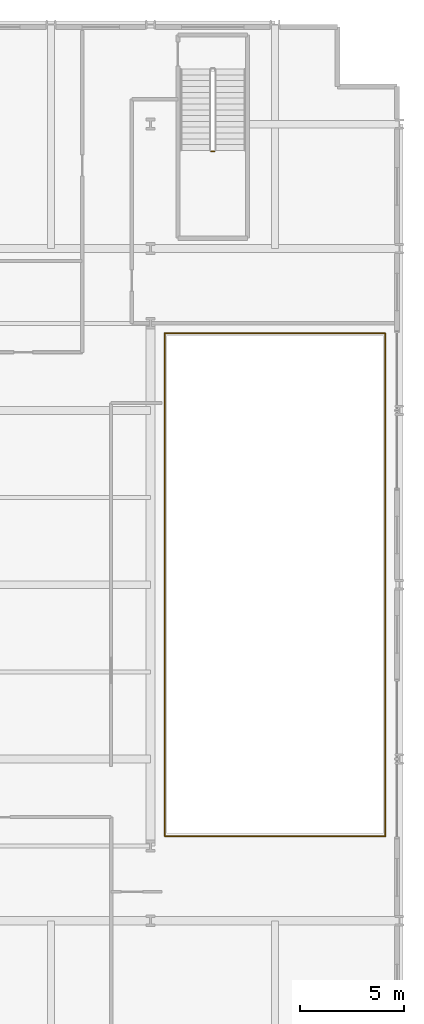
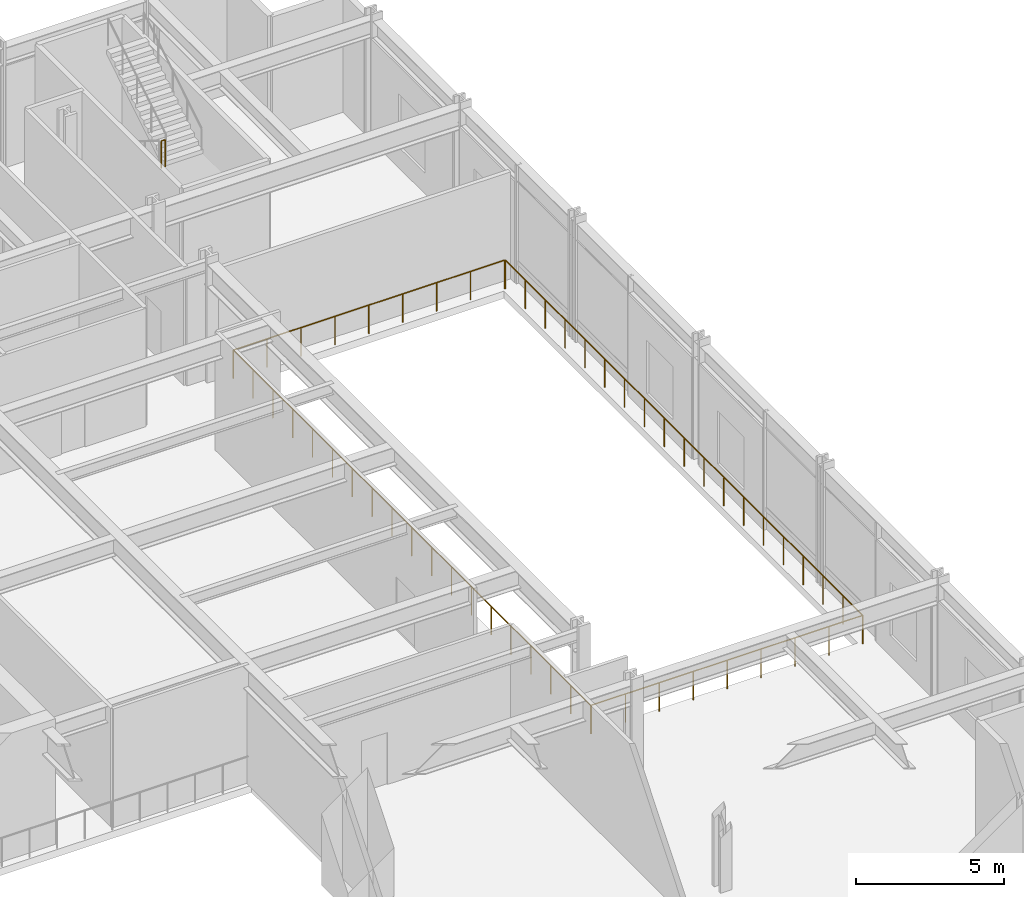
# One storey, part 18 of 19: 3 railings.
"""IFC4 building model written with IfcOpenShell, lengths in metres."""

from ifc_helpers import new_model, si_unit, direction, frame, origin, origin_2d, place, context, subcontext, project, spatial, circle, extrude, material, type_object, element, save


model = new_model("IFC4")

# Units and contexts
model_context = context("Model", 3, precision=1e-05, world=origin(), true_north=direction((0.0, 1.0)))
body_context = subcontext(model_context, "Body", "Model", "MODEL_VIEW")
ifc_project = project(units=[si_unit("LENGTHUNIT", "METRE"), si_unit("AREAUNIT", "SQUARE_METRE"), si_unit("VOLUMEUNIT", "CUBIC_METRE"), si_unit("PLANEANGLEUNIT", "RADIAN"), si_unit("MASSUNIT", "GRAM", prefix="KILO")], contexts=[model_context])

# Site, building, storey
site_placement = place(None, origin())
site = spatial("IfcSite", under=ifc_project, at=site_placement, CompositionType="ELEMENT")
building_placement = place(site_placement, origin())
building = spatial("IfcBuilding", under=site, at=building_placement, Name="Drelvath Grand Hotel", CompositionType="ELEMENT")
storey_placement = place(building_placement, frame((0.0, 0.0, 17.199951171875)))
storey = spatial("IfcBuildingStorey", under=building, at=storey_placement, Name="L03", CompositionType="ELEMENT", Elevation=17.199951171875)

# Railings
ifc_material_1 = material(Name="Painted Steel S275", Category="steel")
railing_type_1 = type_object("IfcRailingType", Name="Core Stair Well Guardrail 1100", PredefinedType="GUARDRAIL", material=ifc_material_1)
railing_1_placement = place(storey_placement, frame((29.919921875, 47.8798828125, 2.60009765625)))
element("IfcRailing", 1, at=railing_1_placement, inside=storey, type_object=railing_type_1, Name="L03 ST-4 stair guard 2", PredefinedType="GUARDRAIL", context=body_context, shape_type="SweptSolid", body=[
    extrude(circle(Radius=0.02392578125, at=origin_2d()), frame((0.0, 0.0, 1.1259765625), z_axis=(1.0, 0.0, 0.0), x_axis=(0.0, 1.0, 0.0)), (0.0, 0.0, 1.0), 0.16015625),
    extrude(circle(Radius=0.02099609375, at=origin_2d()), origin(), (0.0, 0.0, 1.0), 1.101806640625),
    extrude(circle(Radius=0.02099609375, at=origin_2d()), frame((0.16015625, 0.0, 0.0)), (0.0, 0.0, 1.0), 1.101806640625),
])
ifc_material_2 = material(Name="Anodised Aluminium and Laminated Glass Balustrade", Category="aluminium")
railing_type_2 = type_object("IfcRailingType", Name="Glazed Terrace and Atrium Balustrade 1200", PredefinedType="BALUSTRADE", material=ifc_material_2)
railing_2_placement = place(storey_placement, frame((27.7041015625, 14.8798828125, 0.0)))
element("IfcRailing", 2, at=railing_2_placement, inside=storey, type_object=railing_type_2, Name="L03 Atrium Void Perimeter Balustrade A", PredefinedType="BALUSTRADE", context=body_context, shape_type="SweptSolid", body=[
    extrude(circle(Radius=0.02392578125, at=origin_2d()), frame((0.0, 0.0, 1.17578125), z_axis=(1.0, 0.0, 0.0), x_axis=(0.0, 1.0, 0.0)), (0.0, 0.0, 1.0), 10.615966796875),
    extrude(circle(Radius=0.02392578125, at=origin_2d()), frame((10.615966796875, 0.0, 1.17578125), z_axis=(0.0, 1.0, 0.0), x_axis=(-1.0, 0.0, 0.0)), (0.0, 0.0, 1.0), 24.216064453125),
    extrude(circle(Radius=0.02099609375, at=origin_2d()), origin(), (0.0, 0.0, 1.0), 1.15185546875),
    extrude(circle(Radius=0.02099609375, at=origin_2d()), frame((1.326904296875, 0.0, 0.0)), (0.0, 0.0, 1.0), 1.15185546875),
    extrude(circle(Radius=0.02099609375, at=origin_2d()), frame((2.654052734375, 0.0, 0.0)), (0.0, 0.0, 1.0), 1.15185546875),
    extrude(circle(Radius=0.02099609375, at=origin_2d()), frame((3.98095703125, 0.0, 0.0)), (0.0, 0.0, 1.0), 1.15185546875),
    extrude(circle(Radius=0.02099609375, at=origin_2d()), frame((5.30810546875, 0.0, 0.0)), (0.0, 0.0, 1.0), 1.15185546875),
    extrude(circle(Radius=0.02099609375, at=origin_2d()), frame((6.635009765625, 0.0, 0.0)), (0.0, 0.0, 1.0), 1.15185546875),
    extrude(circle(Radius=0.02099609375, at=origin_2d()), frame((7.9619140625, 0.0, 0.0)), (0.0, 0.0, 1.0), 1.15185546875),
    extrude(circle(Radius=0.02099609375, at=origin_2d()), frame((9.2890625, 0.0, 0.0)), (0.0, 0.0, 1.0), 1.15185546875),
    extrude(circle(Radius=0.02099609375, at=origin_2d()), frame((10.615966796875, 0.0, 0.0)), (0.0, 0.0, 1.0), 1.15185546875),
    extrude(circle(Radius=0.02099609375, at=origin_2d()), frame((10.615966796875, 1.34521484375, 0.0)), (0.0, 0.0, 1.0), 1.15185546875),
    extrude(circle(Radius=0.02099609375, at=origin_2d()), frame((10.615966796875, 2.690673828125, 0.0)), (0.0, 0.0, 1.0), 1.15185546875),
    extrude(circle(Radius=0.02099609375, at=origin_2d()), frame((10.615966796875, 4.0361328125, 0.0)), (0.0, 0.0, 1.0), 1.15185546875),
    extrude(circle(Radius=0.02099609375, at=origin_2d()), frame((10.615966796875, 5.38134765625, 0.0)), (0.0, 0.0, 1.0), 1.15185546875),
    extrude(circle(Radius=0.02099609375, at=origin_2d()), frame((10.615966796875, 6.7265625, 0.0)), (0.0, 0.0, 1.0), 1.15185546875),
    extrude(circle(Radius=0.02099609375, at=origin_2d()), frame((10.615966796875, 8.072021484375, 0.0)), (0.0, 0.0, 1.0), 1.15185546875),
    extrude(circle(Radius=0.02099609375, at=origin_2d()), frame((10.615966796875, 9.41748046875, 0.0)), (0.0, 0.0, 1.0), 1.15185546875),
    extrude(circle(Radius=0.02099609375, at=origin_2d()), frame((10.615966796875, 10.7626953125, 0.0)), (0.0, 0.0, 1.0), 1.15185546875),
    extrude(circle(Radius=0.02099609375, at=origin_2d()), frame((10.615966796875, 12.10791015625, 0.0)), (0.0, 0.0, 1.0), 1.15185546875),
    extrude(circle(Radius=0.02099609375, at=origin_2d()), frame((10.615966796875, 13.453369140625, 0.0)), (0.0, 0.0, 1.0), 1.15185546875),
    extrude(circle(Radius=0.02099609375, at=origin_2d()), frame((10.615966796875, 14.798828125, 0.0)), (0.0, 0.0, 1.0), 1.15185546875),
    extrude(circle(Radius=0.02099609375, at=origin_2d()), frame((10.615966796875, 16.14404296875, 0.0)), (0.0, 0.0, 1.0), 1.15185546875),
    extrude(circle(Radius=0.02099609375, at=origin_2d()), frame((10.615966796875, 17.4892578125, 0.0)), (0.0, 0.0, 1.0), 1.15185546875),
    extrude(circle(Radius=0.02099609375, at=origin_2d()), frame((10.615966796875, 18.834716796875, 0.0)), (0.0, 0.0, 1.0), 1.15185546875),
    extrude(circle(Radius=0.02099609375, at=origin_2d()), frame((10.615966796875, 20.18017578125, 0.0)), (0.0, 0.0, 1.0), 1.15185546875),
    extrude(circle(Radius=0.02099609375, at=origin_2d()), frame((10.615966796875, 21.525390625, 0.0)), (0.0, 0.0, 1.0), 1.15185546875),
    extrude(circle(Radius=0.02099609375, at=origin_2d()), frame((10.615966796875, 22.87060546875, 0.0)), (0.0, 0.0, 1.0), 1.15185546875),
    extrude(circle(Radius=0.02099609375, at=origin_2d()), frame((10.615966796875, 24.216064453125, 0.0)), (0.0, 0.0, 1.0), 1.15185546875),
])
railing_3_placement = place(storey_placement, frame((38.2958984375, 39.1201171875, 0.0)))
element("IfcRailing", 3, at=railing_3_placement, inside=storey, type_object=railing_type_2, Name="L03 Atrium Void Perimeter Balustrade B", PredefinedType="BALUSTRADE", context=body_context, shape_type="SweptSolid", body=[
    extrude(circle(Radius=0.02392578125, at=origin_2d()), frame((0.0, 0.0, 1.17578125), z_axis=(-1.0, 0.0, 0.0), x_axis=(0.0, -1.0, 0.0)), (0.0, 0.0, 1.0), 10.615966796875),
    extrude(circle(Radius=0.02392578125, at=origin_2d()), frame((-10.615966796875, 0.0, 1.17578125), z_axis=(0.0, -1.0, 0.0), x_axis=(1.0, 0.0, 0.0)), (0.0, 0.0, 1.0), 24.216064453125),
    extrude(circle(Radius=0.02099609375, at=origin_2d()), origin(), (0.0, 0.0, 1.0), 1.15185546875),
    extrude(circle(Radius=0.02099609375, at=origin_2d()), frame((-1.326904296875, 0.0, 0.0)), (0.0, 0.0, 1.0), 1.15185546875),
    extrude(circle(Radius=0.02099609375, at=origin_2d()), frame((-2.654052734375, 0.0, 0.0)), (0.0, 0.0, 1.0), 1.15185546875),
    extrude(circle(Radius=0.02099609375, at=origin_2d()), frame((-3.98095703125, 0.0, 0.0)), (0.0, 0.0, 1.0), 1.15185546875),
    extrude(circle(Radius=0.02099609375, at=origin_2d()), frame((-5.30810546875, 0.0, 0.0)), (0.0, 0.0, 1.0), 1.15185546875),
    extrude(circle(Radius=0.02099609375, at=origin_2d()), frame((-6.635009765625, 0.0, 0.0)), (0.0, 0.0, 1.0), 1.15185546875),
    extrude(circle(Radius=0.02099609375, at=origin_2d()), frame((-7.9619140625, 0.0, 0.0)), (0.0, 0.0, 1.0), 1.15185546875),
    extrude(circle(Radius=0.02099609375, at=origin_2d()), frame((-9.2890625, 0.0, 0.0)), (0.0, 0.0, 1.0), 1.15185546875),
    extrude(circle(Radius=0.02099609375, at=origin_2d()), frame((-10.615966796875, 0.0, 0.0)), (0.0, 0.0, 1.0), 1.15185546875),
    extrude(circle(Radius=0.02099609375, at=origin_2d()), frame((-10.615966796875, -1.34521484375, 0.0)), (0.0, 0.0, 1.0), 1.15185546875),
    extrude(circle(Radius=0.02099609375, at=origin_2d()), frame((-10.615966796875, -2.690673828125, 0.0)), (0.0, 0.0, 1.0), 1.15185546875),
    extrude(circle(Radius=0.02099609375, at=origin_2d()), frame((-10.615966796875, -4.0361328125, 0.0)), (0.0, 0.0, 1.0), 1.15185546875),
    extrude(circle(Radius=0.02099609375, at=origin_2d()), frame((-10.615966796875, -5.38134765625, 0.0)), (0.0, 0.0, 1.0), 1.15185546875),
    extrude(circle(Radius=0.02099609375, at=origin_2d()), frame((-10.615966796875, -6.7265625, 0.0)), (0.0, 0.0, 1.0), 1.15185546875),
    extrude(circle(Radius=0.02099609375, at=origin_2d()), frame((-10.615966796875, -8.072021484375, 0.0)), (0.0, 0.0, 1.0), 1.15185546875),
    extrude(circle(Radius=0.02099609375, at=origin_2d()), frame((-10.615966796875, -9.41748046875, 0.0)), (0.0, 0.0, 1.0), 1.15185546875),
    extrude(circle(Radius=0.02099609375, at=origin_2d()), frame((-10.615966796875, -10.7626953125, 0.0)), (0.0, 0.0, 1.0), 1.15185546875),
    extrude(circle(Radius=0.02099609375, at=origin_2d()), frame((-10.615966796875, -12.10791015625, 0.0)), (0.0, 0.0, 1.0), 1.15185546875),
    extrude(circle(Radius=0.02099609375, at=origin_2d()), frame((-10.615966796875, -13.453369140625, 0.0)), (0.0, 0.0, 1.0), 1.15185546875),
    extrude(circle(Radius=0.02099609375, at=origin_2d()), frame((-10.615966796875, -14.798828125, 0.0)), (0.0, 0.0, 1.0), 1.15185546875),
    extrude(circle(Radius=0.02099609375, at=origin_2d()), frame((-10.615966796875, -16.14404296875, 0.0)), (0.0, 0.0, 1.0), 1.15185546875),
    extrude(circle(Radius=0.02099609375, at=origin_2d()), frame((-10.615966796875, -17.4892578125, 0.0)), (0.0, 0.0, 1.0), 1.15185546875),
    extrude(circle(Radius=0.02099609375, at=origin_2d()), frame((-10.615966796875, -18.834716796875, 0.0)), (0.0, 0.0, 1.0), 1.15185546875),
    extrude(circle(Radius=0.02099609375, at=origin_2d()), frame((-10.615966796875, -20.18017578125, 0.0)), (0.0, 0.0, 1.0), 1.15185546875),
    extrude(circle(Radius=0.02099609375, at=origin_2d()), frame((-10.615966796875, -21.525390625, 0.0)), (0.0, 0.0, 1.0), 1.15185546875),
    extrude(circle(Radius=0.02099609375, at=origin_2d()), frame((-10.615966796875, -22.87060546875, 0.0)), (0.0, 0.0, 1.0), 1.15185546875),
    extrude(circle(Radius=0.02099609375, at=origin_2d()), frame((-10.615966796875, -24.216064453125, 0.0)), (0.0, 0.0, 1.0), 1.15185546875),
])

save(model, "model.ifc")
